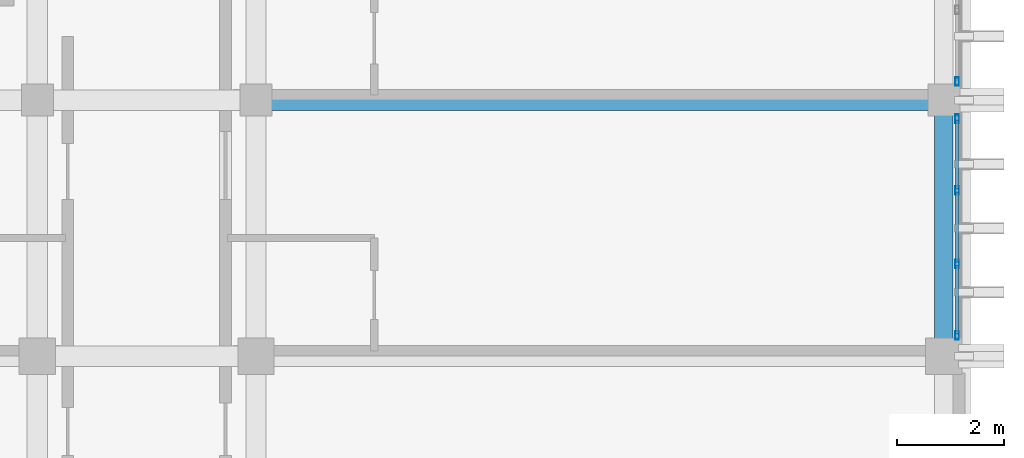
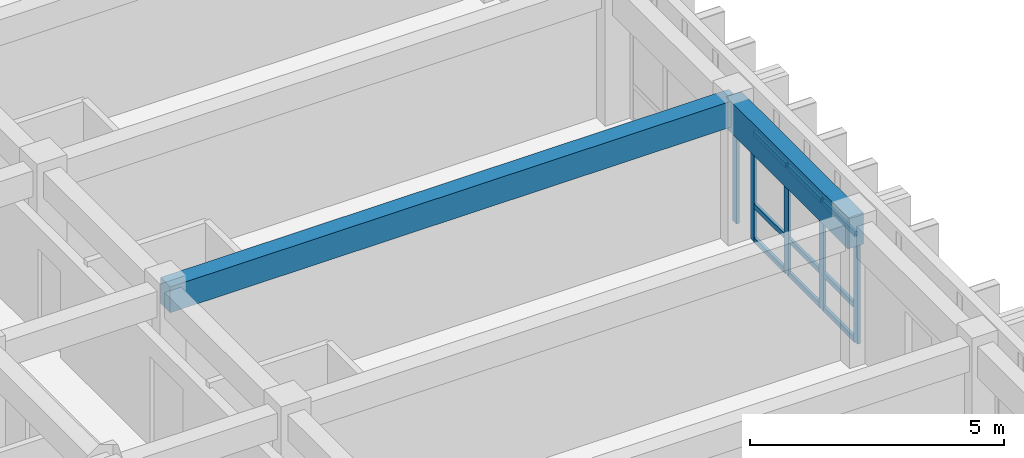
# One storey, part 13 of 53: 14 members, 2 beams, 2 elements without a shape of their own.
"""IFC4 building model written with IfcOpenShell, lengths in metres."""

from ifc_helpers import new_model, si_unit, direction, frame, origin, origin_2d, place, context, subcontext, project, spatial, rectangle, hollow_rectangle, extrude, material, layer, layer_set, material_profile, profile_set, type_object, element, aggregate, save


model = new_model("IFC4")

# Units and contexts
model_context = context("Model", 3, precision=1e-05, world=origin(), true_north=direction((0.0, 1.0)))
body_context = subcontext(model_context, "Body", "Model", "MODEL_VIEW")
ifc_project = project(units=[si_unit("LENGTHUNIT", "METRE"), si_unit("AREAUNIT", "SQUARE_METRE"), si_unit("VOLUMEUNIT", "CUBIC_METRE"), si_unit("PLANEANGLEUNIT", "RADIAN"), si_unit("MASSUNIT", "GRAM", prefix="KILO")], contexts=[model_context])

# Site, building, storey
site_placement = place(None, origin())
site = spatial("IfcSite", under=ifc_project, at=site_placement, CompositionType="ELEMENT")
building_placement = place(site_placement, origin())
building = spatial("IfcBuilding", under=site, at=building_placement, Name="Nakhvara Creek Congress Hotel", CompositionType="ELEMENT")
storey_placement = place(building_placement, frame((0.0, 0.0, 35.39990234375)))
storey = spatial("IfcBuildingStorey", under=building, at=storey_placement, Name="L08", CompositionType="ELEMENT", Elevation=35.39990234375)

# Beams
ifc_material_1 = material(Name="Concrete C40/50", Category="concrete")
ifc_material_profile_1 = material_profile(ifc_material_1, rectangle(XDim=0.3798828125, YDim=0.6201171875, at=origin_2d()), Name="RC-BM 380x620", Category="LoadBearing")
ifc_profile_set_1 = profile_set([ifc_material_profile_1], Name="Concrete C40/50")
beam_type_1 = type_object("IfcBeamType", Name="BM-RC-380X620", PredefinedType="BEAM", material=ifc_profile_set_1)
beam_1_placement = place(storey_placement, frame((166.449951171875, 72.0, 3.050048828125), z_axis=(1.0, 0.0, 0.0), x_axis=(0.0, 1.0, 0.0)))
element("IfcBeam", 1, at=beam_1_placement, inside=storey, type_object=beam_type_1, Name="Beam B10-L08-2527", PredefinedType="BEAM", context=body_context, shape_type="SweptSolid", body=[
    extrude(rectangle(XDim=0.3798828125, YDim=0.6201171875, at=origin_2d()), origin(), (0.0, 0.0, 1.0), 12.900146484375),
])
ifc_material_profile_2 = material_profile(ifc_material_1, rectangle(XDim=0.35009765625, YDim=0.75, at=origin_2d()), Name="RC-SPANDREL 350x750", Category="LoadBearing")
ifc_profile_set_2 = profile_set([ifc_material_profile_2], Name="Concrete C40/50")
beam_type_2 = type_object("IfcBeamType", Name="BM-SPN-350X750", PredefinedType="SPANDREL", material=ifc_profile_set_2)
beam_2_placement = place(storey_placement, frame((179.35009765625, 67.199951171875, 2.985107421875), z_axis=(0.0, 1.0, 0.0), x_axis=(-1.0, 0.0, 0.0)))
element("IfcBeam", 2, at=beam_2_placement, inside=storey, type_object=beam_type_2, Name="Beam SP1-L08-2499", PredefinedType="SPANDREL", context=body_context, shape_type="SweptSolid", body=[
    extrude(rectangle(XDim=0.35009765625, YDim=0.75, at=origin_2d()), origin(), (0.0, 0.0, 1.0), 4.800048828125),
])

# Curtain wall, members
ifc_material_2 = material(Name="Bronze-anodised aluminium AW-6063-T6 and double-silver low-E glass", Category="aluminium")
ifc_layer = layer(ifc_material_2, 0.199951171875)
ifc_layer_set = layer_set([ifc_layer], Name="Bronze-anodised aluminium AW-6063-T6 and double-silver low-E glass")
curtain_wall_type = type_object("IfcCurtainWallType", Name="CW-HTL-UNIT", PredefinedType="USERDEFINED", material=ifc_layer_set)
curtain_wall_1_placement = place(storey_placement, origin())
curtain_wall_1 = element("IfcCurtainWall", 3, at=curtain_wall_1_placement, inside=storey, type_object=curtain_wall_type, Name="Curtain Wall CW279", ObjectType="UNITISED", PredefinedType="USERDEFINED")
ifc_material_3 = material(Name="Bronze-anodised aluminium AW-6063-T6", Category="aluminium")
ifc_material_profile_3 = material_profile(ifc_material_3, hollow_rectangle(XDim=0.06494140625, YDim=0.159912109375, WallThickness=0.00390625, at=origin_2d()), Name="ALU-MULL 65x160x4", Category="LoadBearing")
ifc_profile_set_3 = profile_set([ifc_material_profile_3], Name="Bronze-anodised aluminium AW-6063-T6")
member_type_1 = type_object("IfcMemberType", Name="CW-MULL-160", PredefinedType="MULLION", material=ifc_profile_set_3)
member_1_placement = place(storey_placement, frame((179.60009765625, 71.652587890625, 0.0), z_axis=(0.0, 0.0, 1.0), x_axis=(1.0, 0.0, 0.0)))
member_1 = element("IfcMember", 4, at=member_1_placement, type_object=member_type_1, Name="CW279 mullion 1", PredefinedType="MULLION", context=body_context, shape_type="SweptSolid", body=[
    extrude(hollow_rectangle(XDim=0.06494140625, YDim=0.159912109375, WallThickness=0.00390625, at=origin_2d()), origin(), (0.0, 0.0, 1.0), 2.60205078125),
])
member_2_placement = place(storey_placement, frame((179.60009765625, 70.308349609375, 0.0), z_axis=(0.0, 0.0, 1.0), x_axis=(1.0, 0.0, 0.0)))
member_2 = element("IfcMember", 5, at=member_2_placement, type_object=member_type_1, Name="CW279 mullion 2", PredefinedType="MULLION", context=body_context, shape_type="SweptSolid", body=[
    extrude(hollow_rectangle(XDim=0.06494140625, YDim=0.159912109375, WallThickness=0.00390625, at=origin_2d()), origin(), (0.0, 0.0, 1.0), 2.60205078125),
])
member_3_placement = place(storey_placement, frame((179.60009765625, 68.931640625, 0.0), z_axis=(0.0, 0.0, 1.0), x_axis=(1.0, 0.0, 0.0)))
member_3 = element("IfcMember", 6, at=member_3_placement, type_object=member_type_1, Name="CW279 mullion 3", PredefinedType="MULLION", context=body_context, shape_type="SweptSolid", body=[
    extrude(hollow_rectangle(XDim=0.06494140625, YDim=0.159912109375, WallThickness=0.00390625, at=origin_2d()), origin(), (0.0, 0.0, 1.0), 2.60205078125),
])
member_4_placement = place(storey_placement, frame((179.60009765625, 67.58740234375, 0.0), z_axis=(0.0, 0.0, 1.0), x_axis=(1.0, 0.0, 0.0)))
member_4 = element("IfcMember", 7, at=member_4_placement, type_object=member_type_1, Name="CW279 mullion 4", PredefinedType="MULLION", context=body_context, shape_type="SweptSolid", body=[
    extrude(hollow_rectangle(XDim=0.06494140625, YDim=0.159912109375, WallThickness=0.00390625, at=origin_2d()), origin(), (0.0, 0.0, 1.0), 2.60205078125),
])

# Curtain wall, member
curtain_wall_2_placement = place(storey_placement, origin())
curtain_wall_2 = element("IfcCurtainWall", 8, at=curtain_wall_2_placement, inside=storey, type_object=curtain_wall_type, Name="Curtain Wall CW281", ObjectType="UNITISED", PredefinedType="USERDEFINED")
member_5_placement = place(storey_placement, frame((179.60009765625, 72.347412109375, 0.0), z_axis=(0.0, 0.0, 1.0), x_axis=(1.0, 0.0, 0.0)))
member_5 = element("IfcMember", 9, at=member_5_placement, type_object=member_type_1, Name="CW281 mullion 4", PredefinedType="MULLION", context=body_context, shape_type="SweptSolid", body=[
    extrude(hollow_rectangle(XDim=0.06494140625, YDim=0.159912109375, WallThickness=0.00390625, at=origin_2d()), origin(), (0.0, 0.0, 1.0), 2.60205078125),
])
aggregate(curtain_wall_2, [member_5])

# Member
ifc_material_profile_4 = material_profile(ifc_material_3, hollow_rectangle(XDim=0.06494140625, YDim=0.1201171875, WallThickness=0.00390625, at=origin_2d()), Name="ALU-TRAN 65x120x4", Category="LoadBearing")
ifc_profile_set_4 = profile_set([ifc_material_profile_4], Name="Bronze-anodised aluminium AW-6063-T6")
member_type_2 = type_object("IfcMemberType", Name="CW-TRAN-120", PredefinedType="USERDEFINED", material=ifc_profile_set_4)
member_6_placement = place(storey_placement, frame((179.60009765625, 71.6201171875, 0.03271484375), z_axis=(0.0, -1.0, 0.0), x_axis=(1.0, 0.0, 0.0)))
member_6 = element("IfcMember", 10, at=member_6_placement, type_object=member_type_2, Name="CW279 transom 1.1", ObjectType="TRANSOM", PredefinedType="USERDEFINED", context=body_context, shape_type="SweptSolid", body=[
    extrude(hollow_rectangle(XDim=0.06494140625, YDim=0.1201171875, WallThickness=0.00390625, at=origin_2d()), origin(), (0.0, 0.0, 1.0), 1.279296875),
])

member_7_placement = place(storey_placement, frame((179.60009765625, 71.6201171875, 0.85009765625), z_axis=(0.0, -1.0, 0.0), x_axis=(1.0, 0.0, 0.0)))
member_7 = element("IfcMember", 11, at=member_7_placement, type_object=member_type_2, Name="CW279 transom 1.2", ObjectType="TRANSOM", PredefinedType="USERDEFINED", context=body_context, shape_type="SweptSolid", body=[
    extrude(hollow_rectangle(XDim=0.06494140625, YDim=0.1201171875, WallThickness=0.00390625, at=origin_2d()), origin(), (0.0, 0.0, 1.0), 1.279296875),
])

member_8_placement = place(storey_placement, frame((179.60009765625, 71.6201171875, 2.569580078125), z_axis=(0.0, -1.0, 0.0), x_axis=(1.0, 0.0, 0.0)))
member_8 = element("IfcMember", 12, at=member_8_placement, type_object=member_type_2, Name="CW279 transom 1.3", ObjectType="TRANSOM", PredefinedType="USERDEFINED", context=body_context, shape_type="SweptSolid", body=[
    extrude(hollow_rectangle(XDim=0.06494140625, YDim=0.1201171875, WallThickness=0.00390625, at=origin_2d()), origin(), (0.0, 0.0, 1.0), 1.279296875),
])

member_9_placement = place(storey_placement, frame((179.60009765625, 70.27587890625, 0.03271484375), z_axis=(0.0, -1.0, 0.0), x_axis=(1.0, 0.0, 0.0)))
member_9 = element("IfcMember", 13, at=member_9_placement, type_object=member_type_2, Name="CW279 transom 2.1", ObjectType="TRANSOM", PredefinedType="USERDEFINED", context=body_context, shape_type="SweptSolid", body=[
    extrude(hollow_rectangle(XDim=0.06494140625, YDim=0.1201171875, WallThickness=0.00390625, at=origin_2d()), origin(), (0.0, 0.0, 1.0), 1.311767578125),
])

member_10_placement = place(storey_placement, frame((179.60009765625, 70.27587890625, 0.85009765625), z_axis=(0.0, -1.0, 0.0), x_axis=(1.0, 0.0, 0.0)))
member_10 = element("IfcMember", 14, at=member_10_placement, type_object=member_type_2, Name="CW279 transom 2.2", ObjectType="TRANSOM", PredefinedType="USERDEFINED", context=body_context, shape_type="SweptSolid", body=[
    extrude(hollow_rectangle(XDim=0.06494140625, YDim=0.1201171875, WallThickness=0.00390625, at=origin_2d()), origin(), (0.0, 0.0, 1.0), 1.311767578125),
])

member_11_placement = place(storey_placement, frame((179.60009765625, 70.27587890625, 2.569580078125), z_axis=(0.0, -1.0, 0.0), x_axis=(1.0, 0.0, 0.0)))
member_11 = element("IfcMember", 15, at=member_11_placement, type_object=member_type_2, Name="CW279 transom 2.3", ObjectType="TRANSOM", PredefinedType="USERDEFINED", context=body_context, shape_type="SweptSolid", body=[
    extrude(hollow_rectangle(XDim=0.06494140625, YDim=0.1201171875, WallThickness=0.00390625, at=origin_2d()), origin(), (0.0, 0.0, 1.0), 1.311767578125),
])

member_12_placement = place(storey_placement, frame((179.60009765625, 68.899169921875, 0.03271484375), z_axis=(0.0, -1.0, 0.0), x_axis=(1.0, 0.0, 0.0)))
member_12 = element("IfcMember", 16, at=member_12_placement, type_object=member_type_2, Name="CW279 transom 3.1", ObjectType="TRANSOM", PredefinedType="USERDEFINED", context=body_context, shape_type="SweptSolid", body=[
    extrude(hollow_rectangle(XDim=0.06494140625, YDim=0.1201171875, WallThickness=0.00390625, at=origin_2d()), origin(), (0.0, 0.0, 1.0), 1.279052734375),
])

member_13_placement = place(storey_placement, frame((179.60009765625, 68.899169921875, 0.85009765625), z_axis=(0.0, -1.0, 0.0), x_axis=(1.0, 0.0, 0.0)))
member_13 = element("IfcMember", 17, at=member_13_placement, type_object=member_type_2, Name="CW279 transom 3.2", ObjectType="TRANSOM", PredefinedType="USERDEFINED", context=body_context, shape_type="SweptSolid", body=[
    extrude(hollow_rectangle(XDim=0.06494140625, YDim=0.1201171875, WallThickness=0.00390625, at=origin_2d()), origin(), (0.0, 0.0, 1.0), 1.279052734375),
])

member_14_placement = place(storey_placement, frame((179.60009765625, 68.899169921875, 2.569580078125), z_axis=(0.0, -1.0, 0.0), x_axis=(1.0, 0.0, 0.0)))
member_14 = element("IfcMember", 18, at=member_14_placement, type_object=member_type_2, Name="CW279 transom 3.3", ObjectType="TRANSOM", PredefinedType="USERDEFINED", context=body_context, shape_type="SweptSolid", body=[
    extrude(hollow_rectangle(XDim=0.06494140625, YDim=0.1201171875, WallThickness=0.00390625, at=origin_2d()), origin(), (0.0, 0.0, 1.0), 1.279052734375),
])

aggregate(curtain_wall_1, [member_1, member_2, member_3, member_4, member_6, member_7, member_8, member_9, member_10, member_11, member_12, member_13, member_14])

save(model, "model.ifc")
